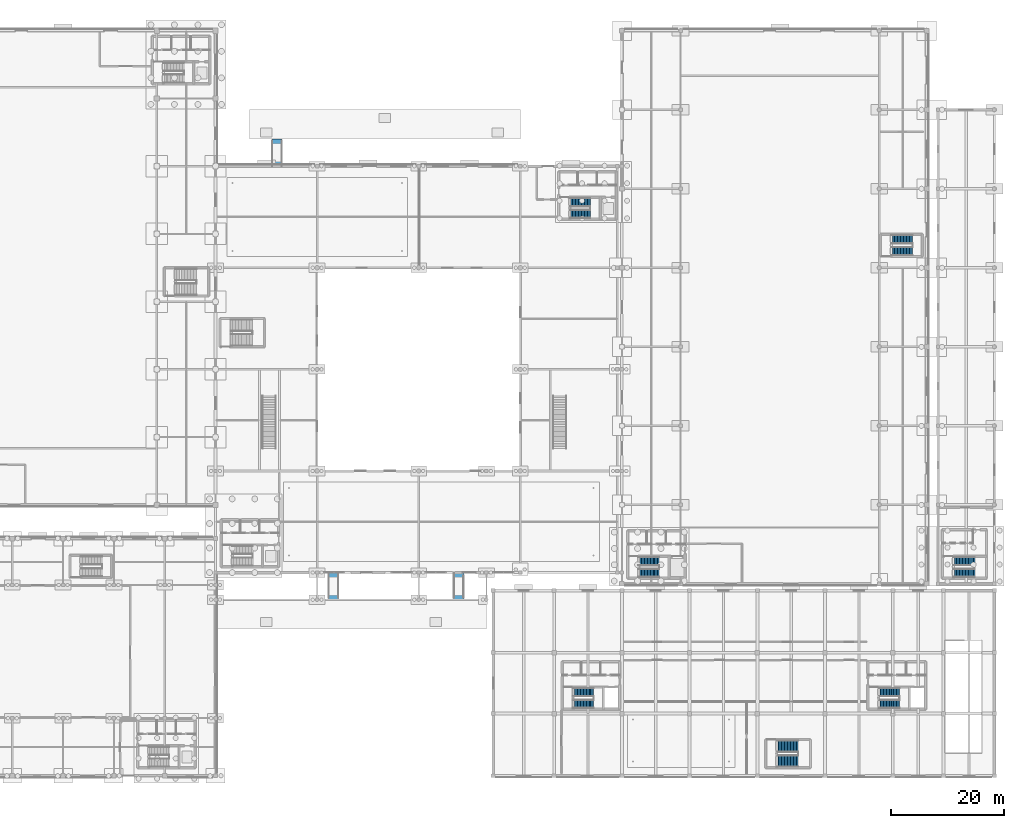
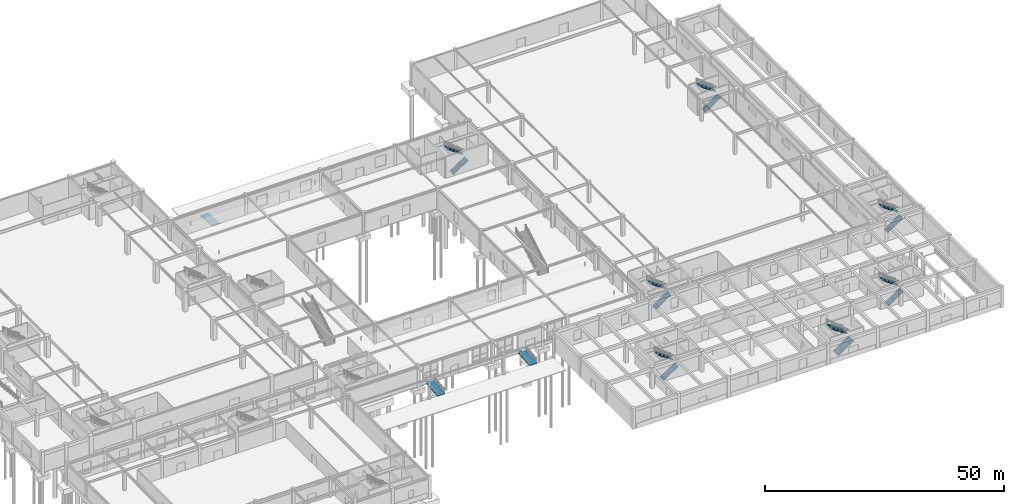
# One storey, part 40 of 53: 14 stair flights, 3 ramp flights, 10 elements without a shape of their own.
"""IFC4 building model written with IfcOpenShell, lengths in metres."""

from ifc_helpers import new_model, si_unit, derived_unit, direction, frame, origin, place, context, subcontext, project, spatial, polyline, outline, extrude, material, layer, layer_set, type_object, element, aggregate, save


model = new_model("IFC4")

# Units and contexts
model_context = context("Model", 3, precision=1e-05, world=origin(), true_north=direction((0.0, 1.0)))
body_context = subcontext(model_context, "Body", "Model", "MODEL_VIEW")
ifc_project = project(units=[si_unit("LENGTHUNIT", "METRE"), si_unit("AREAUNIT", "SQUARE_METRE"), si_unit("VOLUMEUNIT", "CUBIC_METRE"), si_unit("PLANEANGLEUNIT", "RADIAN"), si_unit("MASSUNIT", "GRAM", prefix="KILO"), derived_unit("THERMALTRANSMITTANCEUNIT", [(si_unit("POWERUNIT", "WATT"), 1), (si_unit("LENGTHUNIT", "METRE"), -2), (si_unit("THERMODYNAMICTEMPERATUREUNIT", "KELVIN"), -1)])], contexts=[model_context])

# Site, building, storey
site_placement = place(None, origin())
site = spatial("IfcSite", under=ifc_project, at=site_placement, CompositionType="ELEMENT")
building_placement = place(site_placement, origin())
building = spatial("IfcBuilding", under=site, at=building_placement, Name="Almenara Railside Exhibition Hall", CompositionType="ELEMENT")
storey_placement = place(building_placement, origin())
storey = spatial("IfcBuildingStorey", under=building, at=storey_placement, Name="L00", CompositionType="ELEMENT", Elevation=0.0)

# Stair, stair flights
ifc_material = material(Name="Concrete C35/45", Category="concrete")
stair_type_1 = type_object("IfcStairType", Name="East Core Dog-Leg Stair 1500mm", PredefinedType="TWO_STRAIGHT_RUN_STAIR", material=ifc_material)
stair_1_placement = place(storey_placement, origin())
stair_1 = element("IfcStair", 1, at=stair_1_placement, inside=storey, type_object=stair_type_1, Name="Escape stair ST-C9-L00", PredefinedType="TWO_STRAIGHT_RUN_STAIR")
stair_flight_type_1 = type_object("IfcStairFlightType", Name="Precast Concrete Stair Flight 1500mm C35/45", PredefinedType="STRAIGHT", material=ifc_material)
stair_flight_1_placement = place(storey_placement, frame((196.75, 35.889892578125, 0.0), z_axis=(0.0, 0.0, 1.0), x_axis=(1.0, 0.0, 0.0)))
stair_flight_1 = element("IfcStairFlight", 2, at=stair_flight_1_placement, type_object=stair_flight_type_1, Name="ST-C9-L00 flight 1", NumberOfRisers=15, NumberOfTreads=14, PredefinedType="STRAIGHT", RiserHeight=0.18, TreadLength=0.27, context=body_context, shape_type="SweptSolid", body=[
    extrude(outline(polyline([(0.0, 0.0), (0.0, 0.179931640625), (0.27001953125, 0.179931640625), (0.27001953125, 0.360107421875), (0.5400390625, 0.360107421875), (0.5400390625, 0.5400390625), (0.81005859375, 0.5400390625), (0.81005859375, 0.719970703125), (1.080078125, 0.719970703125), (1.080078125, 0.89990234375), (1.35009765625, 0.89990234375), (1.35009765625, 1.080078125), (1.6201171875, 1.080078125), (1.6201171875, 1.260009765625), (1.889892578125, 1.260009765625), (1.889892578125, 1.43994140625), (2.159912109375, 1.43994140625), (2.159912109375, 1.6201171875), (2.429931640625, 1.6201171875), (2.429931640625, 1.800048828125), (2.699951171875, 1.800048828125), (2.699951171875, 1.97998046875), (2.969970703125, 1.97998046875), (2.969970703125, 2.159912109375), (3.239990234375, 2.159912109375), (3.239990234375, 2.340087890625), (3.510009765625, 2.340087890625), (3.510009765625, 2.52001953125), (3.780029296875, 2.52001953125), (3.780029296875, 2.699951171875), (3.780029296875, 2.33984375), (0.270263671875, 0.0), (0.0, 0.0)])), frame((0.0, 0.75, 0.0), z_axis=(0.0, -1.0, 0.0), x_axis=(1.0, 0.0, 0.0)), (0.0, 0.0, 1.0), 1.5),
])
stair_flight_2_placement = place(storey_placement, frame((200.530029296875, 38.010009765625, 2.699951171875), z_axis=(0.0, 0.0, 1.0), x_axis=(-1.0, 0.0, 0.0)))
stair_flight_2 = element("IfcStairFlight", 3, at=stair_flight_2_placement, type_object=stair_flight_type_1, Name="ST-C9-L00 flight 2", NumberOfRisers=15, NumberOfTreads=14, PredefinedType="STRAIGHT", RiserHeight=0.18, TreadLength=0.27, context=body_context, shape_type="SweptSolid", body=[
    extrude(outline(polyline([(0.0, 0.0), (0.0, 0.179931640625), (0.27001953125, 0.179931640625), (0.27001953125, 0.360107421875), (0.5400390625, 0.360107421875), (0.5400390625, 0.5400390625), (0.81005859375, 0.5400390625), (0.81005859375, 0.719970703125), (1.080078125, 0.719970703125), (1.080078125, 0.89990234375), (1.35009765625, 0.89990234375), (1.35009765625, 1.080078125), (1.6201171875, 1.080078125), (1.6201171875, 1.260009765625), (1.889892578125, 1.260009765625), (1.889892578125, 1.43994140625), (2.159912109375, 1.43994140625), (2.159912109375, 1.6201171875), (2.429931640625, 1.6201171875), (2.429931640625, 1.800048828125), (2.699951171875, 1.800048828125), (2.699951171875, 1.97998046875), (2.969970703125, 1.97998046875), (2.969970703125, 2.159912109375), (3.239990234375, 2.159912109375), (3.239990234375, 2.340087890625), (3.510009765625, 2.340087890625), (3.510009765625, 2.52001953125), (3.780029296875, 2.52001953125), (3.780029296875, 2.699951171875), (3.780029296875, 2.33984375), (0.270263671875, 0.0), (0.0, 0.0)])), frame((0.0, 0.75, 0.0), z_axis=(0.0, -1.0, 0.0), x_axis=(1.0, 0.0, 0.0)), (0.0, 0.0, 1.0), 1.5),
])
aggregate(stair_1, [stair_flight_1, stair_flight_2])

stair_type_2 = type_object("IfcStairType", Name="Core Dog-Leg Escape Stair 1520mm", PredefinedType="TWO_STRAIGHT_RUN_STAIR", material=ifc_material)
stair_2_placement = place(storey_placement, origin())
stair_2 = element("IfcStair", 4, at=stair_2_placement, inside=storey, type_object=stair_type_2, Name="Escape stair ST-C3-L00", PredefinedType="TWO_STRAIGHT_RUN_STAIR")
stair_flight_type_2 = type_object("IfcStairFlightType", Name="Precast Concrete Stair Flight 1520mm C35/45", PredefinedType="STRAIGHT", material=ifc_material)
stair_flight_3_placement = place(storey_placement, frame((140.949951171875, 35.89990234375, 0.0), z_axis=(0.0, 0.0, 1.0), x_axis=(1.0, 0.0, 0.0)))
stair_flight_3 = element("IfcStairFlight", 5, at=stair_flight_3_placement, type_object=stair_flight_type_2, Name="ST-C3-L00 flight 1", NumberOfRisers=15, NumberOfTreads=14, PredefinedType="STRAIGHT", RiserHeight=0.18, TreadLength=0.2607, context=body_context, shape_type="SweptSolid", body=[
    extrude(outline(polyline([(0.0, 0.0), (0.0, 0.179931640625), (0.2607421875, 0.179931640625), (0.2607421875, 0.360107421875), (0.521484375, 0.360107421875), (0.521484375, 0.5400390625), (0.781982421875, 0.5400390625), (0.781982421875, 0.719970703125), (1.042724609375, 0.719970703125), (1.042724609375, 0.89990234375), (1.303466796875, 0.89990234375), (1.303466796875, 1.080078125), (1.564208984375, 1.080078125), (1.564208984375, 1.260009765625), (1.824951171875, 1.260009765625), (1.824951171875, 1.43994140625), (2.085693359375, 1.43994140625), (2.085693359375, 1.6201171875), (2.34619140625, 1.6201171875), (2.34619140625, 1.800048828125), (2.60693359375, 1.800048828125), (2.60693359375, 1.97998046875), (2.86767578125, 1.97998046875), (2.86767578125, 2.159912109375), (3.12841796875, 2.159912109375), (3.12841796875, 2.340087890625), (3.38916015625, 2.340087890625), (3.38916015625, 2.52001953125), (3.64990234375, 2.52001953125), (3.64990234375, 2.699951171875), (3.64990234375, 2.337890625), (0.263916015625, 0.0), (0.0, 0.0)])), frame((0.0, 0.760009765625, 0.0), z_axis=(0.0, -1.0, 0.0), x_axis=(1.0, 0.0, 0.0)), (0.0, 0.0, 1.0), 1.52001953125),
])
stair_flight_4_placement = place(storey_placement, frame((144.599853515625, 38.0, 2.699951171875), z_axis=(0.0, 0.0, 1.0), x_axis=(-1.0, 0.0, 0.0)))
stair_flight_4 = element("IfcStairFlight", 6, at=stair_flight_4_placement, type_object=stair_flight_type_2, Name="ST-C3-L00 flight 2", NumberOfRisers=15, NumberOfTreads=14, PredefinedType="STRAIGHT", RiserHeight=0.18, TreadLength=0.2607, context=body_context, shape_type="SweptSolid", body=[
    extrude(outline(polyline([(0.0, 0.0), (0.0, 0.179931640625), (0.2607421875, 0.179931640625), (0.2607421875, 0.360107421875), (0.521484375, 0.360107421875), (0.521484375, 0.5400390625), (0.781982421875, 0.5400390625), (0.781982421875, 0.719970703125), (1.042724609375, 0.719970703125), (1.042724609375, 0.89990234375), (1.303466796875, 0.89990234375), (1.303466796875, 1.080078125), (1.564208984375, 1.080078125), (1.564208984375, 1.260009765625), (1.824951171875, 1.260009765625), (1.824951171875, 1.43994140625), (2.085693359375, 1.43994140625), (2.085693359375, 1.6201171875), (2.34619140625, 1.6201171875), (2.34619140625, 1.800048828125), (2.60693359375, 1.800048828125), (2.60693359375, 1.97998046875), (2.86767578125, 1.97998046875), (2.86767578125, 2.159912109375), (3.12841796875, 2.159912109375), (3.12841796875, 2.340087890625), (3.38916015625, 2.340087890625), (3.38916015625, 2.52001953125), (3.64990234375, 2.52001953125), (3.64990234375, 2.699951171875), (3.64990234375, 2.337890625), (0.263916015625, 0.0), (0.0, 0.0)])), frame((0.0, 0.760009765625, 0.0), z_axis=(0.0, -1.0, 0.0), x_axis=(1.0, 0.0, 0.0)), (0.0, 0.0, 1.0), 1.52001953125),
])
aggregate(stair_2, [stair_flight_3, stair_flight_4])

stair_3_placement = place(storey_placement, origin())
stair_3 = element("IfcStair", 7, at=stair_3_placement, inside=storey, type_object=stair_type_2, Name="Escape stair ST-C5-L00", PredefinedType="TWO_STRAIGHT_RUN_STAIR")
stair_flight_5_placement = place(storey_placement, frame((129.35009765625, 12.699951171875, 0.0), z_axis=(0.0, 0.0, 1.0), x_axis=(1.0, 0.0, 0.0)))
stair_flight_5 = element("IfcStairFlight", 8, at=stair_flight_5_placement, type_object=stair_flight_type_2, Name="ST-C5-L00 flight 1", NumberOfRisers=15, NumberOfTreads=14, PredefinedType="STRAIGHT", RiserHeight=0.18, TreadLength=0.2607, context=body_context, shape_type="SweptSolid", body=[
    extrude(outline(polyline([(0.0, 0.0), (0.0, 0.179931640625), (0.2607421875, 0.179931640625), (0.2607421875, 0.360107421875), (0.521484375, 0.360107421875), (0.521484375, 0.5400390625), (0.781982421875, 0.5400390625), (0.781982421875, 0.719970703125), (1.042724609375, 0.719970703125), (1.042724609375, 0.89990234375), (1.303466796875, 0.89990234375), (1.303466796875, 1.080078125), (1.564208984375, 1.080078125), (1.564208984375, 1.260009765625), (1.824951171875, 1.260009765625), (1.824951171875, 1.43994140625), (2.085693359375, 1.43994140625), (2.085693359375, 1.6201171875), (2.34619140625, 1.6201171875), (2.34619140625, 1.800048828125), (2.60693359375, 1.800048828125), (2.60693359375, 1.97998046875), (2.86767578125, 1.97998046875), (2.86767578125, 2.159912109375), (3.12841796875, 2.159912109375), (3.12841796875, 2.340087890625), (3.38916015625, 2.340087890625), (3.38916015625, 2.52001953125), (3.64990234375, 2.52001953125), (3.64990234375, 2.699951171875), (3.64990234375, 2.337890625), (0.263916015625, 0.0), (0.0, 0.0)])), frame((0.0, 0.760009765625, 0.0), z_axis=(0.0, -1.0, 0.0), x_axis=(1.0, 0.0, 0.0)), (0.0, 0.0, 1.0), 1.52001953125),
])
stair_flight_6_placement = place(storey_placement, frame((132.999755859375, 14.800048828125, 2.699951171875), z_axis=(0.0, 0.0, 1.0), x_axis=(-1.0, 0.0, 0.0)))
stair_flight_6 = element("IfcStairFlight", 9, at=stair_flight_6_placement, type_object=stair_flight_type_2, Name="ST-C5-L00 flight 2", NumberOfRisers=15, NumberOfTreads=14, PredefinedType="STRAIGHT", RiserHeight=0.18, TreadLength=0.2607, context=body_context, shape_type="SweptSolid", body=[
    extrude(outline(polyline([(0.0, 0.0), (0.0, 0.179931640625), (0.2607421875, 0.179931640625), (0.2607421875, 0.360107421875), (0.521484375, 0.360107421875), (0.521484375, 0.5400390625), (0.781982421875, 0.5400390625), (0.781982421875, 0.719970703125), (1.042724609375, 0.719970703125), (1.042724609375, 0.89990234375), (1.303466796875, 0.89990234375), (1.303466796875, 1.080078125), (1.564208984375, 1.080078125), (1.564208984375, 1.260009765625), (1.824951171875, 1.260009765625), (1.824951171875, 1.43994140625), (2.085693359375, 1.43994140625), (2.085693359375, 1.6201171875), (2.34619140625, 1.6201171875), (2.34619140625, 1.800048828125), (2.60693359375, 1.800048828125), (2.60693359375, 1.97998046875), (2.86767578125, 1.97998046875), (2.86767578125, 2.159912109375), (3.12841796875, 2.159912109375), (3.12841796875, 2.340087890625), (3.38916015625, 2.340087890625), (3.38916015625, 2.52001953125), (3.64990234375, 2.52001953125), (3.64990234375, 2.699951171875), (3.64990234375, 2.337890625), (0.263916015625, 0.0), (0.0, 0.0)])), frame((0.0, 0.760009765625, 0.0), z_axis=(0.0, -1.0, 0.0), x_axis=(1.0, 0.0, 0.0)), (0.0, 0.0, 1.0), 1.52001953125),
])
aggregate(stair_3, [stair_flight_5, stair_flight_6])

stair_4_placement = place(storey_placement, origin())
stair_4 = element("IfcStair", 10, at=stair_4_placement, inside=storey, type_object=stair_type_2, Name="Escape stair ST-C6-L00", PredefinedType="TWO_STRAIGHT_RUN_STAIR")
stair_flight_7_placement = place(storey_placement, frame((183.550048828125, 12.699951171875, 0.0), z_axis=(0.0, 0.0, 1.0), x_axis=(1.0, 0.0, 0.0)))
stair_flight_7 = element("IfcStairFlight", 11, at=stair_flight_7_placement, type_object=stair_flight_type_2, Name="ST-C6-L00 flight 1", NumberOfRisers=15, NumberOfTreads=14, PredefinedType="STRAIGHT", RiserHeight=0.18, TreadLength=0.2607, context=body_context, shape_type="SweptSolid", body=[
    extrude(outline(polyline([(0.0, 0.0), (0.0, 0.179931640625), (0.2607421875, 0.179931640625), (0.2607421875, 0.360107421875), (0.521484375, 0.360107421875), (0.521484375, 0.5400390625), (0.781982421875, 0.5400390625), (0.781982421875, 0.719970703125), (1.042724609375, 0.719970703125), (1.042724609375, 0.89990234375), (1.303466796875, 0.89990234375), (1.303466796875, 1.080078125), (1.564208984375, 1.080078125), (1.564208984375, 1.260009765625), (1.824951171875, 1.260009765625), (1.824951171875, 1.43994140625), (2.085693359375, 1.43994140625), (2.085693359375, 1.6201171875), (2.34619140625, 1.6201171875), (2.34619140625, 1.800048828125), (2.60693359375, 1.800048828125), (2.60693359375, 1.97998046875), (2.86767578125, 1.97998046875), (2.86767578125, 2.159912109375), (3.12841796875, 2.159912109375), (3.12841796875, 2.340087890625), (3.38916015625, 2.340087890625), (3.38916015625, 2.52001953125), (3.64990234375, 2.52001953125), (3.64990234375, 2.699951171875), (3.64990234375, 2.337890625), (0.263916015625, 0.0), (0.0, 0.0)])), frame((0.0, 0.760009765625, 0.0), z_axis=(0.0, -1.0, 0.0), x_axis=(1.0, 0.0, 0.0)), (0.0, 0.0, 1.0), 1.52001953125),
])
stair_flight_8_placement = place(storey_placement, frame((187.19970703125, 14.800048828125, 2.699951171875), z_axis=(0.0, 0.0, 1.0), x_axis=(-1.0, 0.0, 0.0)))
stair_flight_8 = element("IfcStairFlight", 12, at=stair_flight_8_placement, type_object=stair_flight_type_2, Name="ST-C6-L00 flight 2", NumberOfRisers=15, NumberOfTreads=14, PredefinedType="STRAIGHT", RiserHeight=0.18, TreadLength=0.2607, context=body_context, shape_type="SweptSolid", body=[
    extrude(outline(polyline([(0.0, 0.0), (0.0, 0.179931640625), (0.2607421875, 0.179931640625), (0.2607421875, 0.360107421875), (0.521484375, 0.360107421875), (0.521484375, 0.5400390625), (0.781982421875, 0.5400390625), (0.781982421875, 0.719970703125), (1.042724609375, 0.719970703125), (1.042724609375, 0.89990234375), (1.303466796875, 0.89990234375), (1.303466796875, 1.080078125), (1.564208984375, 1.080078125), (1.564208984375, 1.260009765625), (1.824951171875, 1.260009765625), (1.824951171875, 1.43994140625), (2.085693359375, 1.43994140625), (2.085693359375, 1.6201171875), (2.34619140625, 1.6201171875), (2.34619140625, 1.800048828125), (2.60693359375, 1.800048828125), (2.60693359375, 1.97998046875), (2.86767578125, 1.97998046875), (2.86767578125, 2.159912109375), (3.12841796875, 2.159912109375), (3.12841796875, 2.340087890625), (3.38916015625, 2.340087890625), (3.38916015625, 2.52001953125), (3.64990234375, 2.52001953125), (3.64990234375, 2.699951171875), (3.64990234375, 2.337890625), (0.263916015625, 0.0), (0.0, 0.0)])), frame((0.0, 0.760009765625, 0.0), z_axis=(0.0, -1.0, 0.0), x_axis=(1.0, 0.0, 0.0)), (0.0, 0.0, 1.0), 1.52001953125),
])
aggregate(stair_4, [stair_flight_7, stair_flight_8])

stair_5_placement = place(storey_placement, origin())
stair_5 = element("IfcStair", 13, at=stair_5_placement, inside=storey, type_object=stair_type_2, Name="Escape stair ST-C8-L00", PredefinedType="TWO_STRAIGHT_RUN_STAIR")
stair_flight_9_placement = place(storey_placement, frame((128.75, 99.5, 0.0), z_axis=(0.0, 0.0, 1.0), x_axis=(1.0, 0.0, 0.0)))
stair_flight_9 = element("IfcStairFlight", 14, at=stair_flight_9_placement, type_object=stair_flight_type_2, Name="ST-C8-L00 flight 1", NumberOfRisers=15, NumberOfTreads=14, PredefinedType="STRAIGHT", RiserHeight=0.18, TreadLength=0.2607, context=body_context, shape_type="SweptSolid", body=[
    extrude(outline(polyline([(0.0, 0.0), (0.0, 0.179931640625), (0.2607421875, 0.179931640625), (0.2607421875, 0.360107421875), (0.521484375, 0.360107421875), (0.521484375, 0.5400390625), (0.781982421875, 0.5400390625), (0.781982421875, 0.719970703125), (1.042724609375, 0.719970703125), (1.042724609375, 0.89990234375), (1.303466796875, 0.89990234375), (1.303466796875, 1.080078125), (1.564208984375, 1.080078125), (1.564208984375, 1.260009765625), (1.824951171875, 1.260009765625), (1.824951171875, 1.43994140625), (2.085693359375, 1.43994140625), (2.085693359375, 1.6201171875), (2.34619140625, 1.6201171875), (2.34619140625, 1.800048828125), (2.60693359375, 1.800048828125), (2.60693359375, 1.97998046875), (2.86767578125, 1.97998046875), (2.86767578125, 2.159912109375), (3.12841796875, 2.159912109375), (3.12841796875, 2.340087890625), (3.38916015625, 2.340087890625), (3.38916015625, 2.52001953125), (3.64990234375, 2.52001953125), (3.64990234375, 2.699951171875), (3.64990234375, 2.337890625), (0.263916015625, 0.0), (0.0, 0.0)])), frame((0.0, 0.760009765625, 0.0), z_axis=(0.0, -1.0, 0.0), x_axis=(1.0, 0.0, 0.0)), (0.0, 0.0, 1.0), 1.52001953125),
])
stair_flight_10_placement = place(storey_placement, frame((132.39990234375, 101.60009765625, 2.699951171875), z_axis=(0.0, 0.0, 1.0), x_axis=(-1.0, 0.0, 0.0)))
stair_flight_10 = element("IfcStairFlight", 15, at=stair_flight_10_placement, type_object=stair_flight_type_2, Name="ST-C8-L00 flight 2", NumberOfRisers=15, NumberOfTreads=14, PredefinedType="STRAIGHT", RiserHeight=0.18, TreadLength=0.2607, context=body_context, shape_type="SweptSolid", body=[
    extrude(outline(polyline([(0.0, 0.0), (0.0, 0.179931640625), (0.2607421875, 0.179931640625), (0.2607421875, 0.360107421875), (0.521484375, 0.360107421875), (0.521484375, 0.5400390625), (0.781982421875, 0.5400390625), (0.781982421875, 0.719970703125), (1.042724609375, 0.719970703125), (1.042724609375, 0.89990234375), (1.303466796875, 0.89990234375), (1.303466796875, 1.080078125), (1.564208984375, 1.080078125), (1.564208984375, 1.260009765625), (1.824951171875, 1.260009765625), (1.824951171875, 1.43994140625), (2.085693359375, 1.43994140625), (2.085693359375, 1.6201171875), (2.34619140625, 1.6201171875), (2.34619140625, 1.800048828125), (2.60693359375, 1.800048828125), (2.60693359375, 1.97998046875), (2.86767578125, 1.97998046875), (2.86767578125, 2.159912109375), (3.12841796875, 2.159912109375), (3.12841796875, 2.340087890625), (3.38916015625, 2.340087890625), (3.38916015625, 2.52001953125), (3.64990234375, 2.52001953125), (3.64990234375, 2.699951171875), (3.64990234375, 2.337890625), (0.263916015625, 0.0), (0.0, 0.0)])), frame((0.0, 0.760009765625, 0.0), z_axis=(0.0, -1.0, 0.0), x_axis=(1.0, 0.0, 0.0)), (0.0, 0.0, 1.0), 1.52001953125),
])
aggregate(stair_5, [stair_flight_9, stair_flight_10])

stair_6_placement = place(storey_placement, origin())
stair_6 = element("IfcStair", 16, at=stair_6_placement, inside=storey, type_object=stair_type_2, Name="Escape stair HST6-L00", PredefinedType="TWO_STRAIGHT_RUN_STAIR")
stair_flight_11_placement = place(storey_placement, frame((185.75, 92.89990234375, 0.0), z_axis=(0.0, 0.0, 1.0), x_axis=(1.0, 0.0, 0.0)))
stair_flight_11 = element("IfcStairFlight", 17, at=stair_flight_11_placement, type_object=stair_flight_type_2, Name="HST6-L00 flight 1", NumberOfRisers=15, NumberOfTreads=14, PredefinedType="STRAIGHT", RiserHeight=0.18, TreadLength=0.27, context=body_context, shape_type="SweptSolid", body=[
    extrude(outline(polyline([(0.0, 0.0), (0.0, 0.179931640625), (0.27001953125, 0.179931640625), (0.27001953125, 0.360107421875), (0.5400390625, 0.360107421875), (0.5400390625, 0.5400390625), (0.81005859375, 0.5400390625), (0.81005859375, 0.719970703125), (1.080078125, 0.719970703125), (1.080078125, 0.89990234375), (1.35009765625, 0.89990234375), (1.35009765625, 1.080078125), (1.6201171875, 1.080078125), (1.6201171875, 1.260009765625), (1.889892578125, 1.260009765625), (1.889892578125, 1.43994140625), (2.159912109375, 1.43994140625), (2.159912109375, 1.6201171875), (2.429931640625, 1.6201171875), (2.429931640625, 1.800048828125), (2.699951171875, 1.800048828125), (2.699951171875, 1.97998046875), (2.969970703125, 1.97998046875), (2.969970703125, 2.159912109375), (3.239990234375, 2.159912109375), (3.239990234375, 2.340087890625), (3.510009765625, 2.340087890625), (3.510009765625, 2.52001953125), (3.780029296875, 2.52001953125), (3.780029296875, 2.699951171875), (3.780029296875, 2.33984375), (0.270263671875, 0.0), (0.0, 0.0)])), frame((0.0, 0.760009765625, 0.0), z_axis=(0.0, -1.0, 0.0), x_axis=(1.0, 0.0, 0.0)), (0.0, 0.0, 1.0), 1.52001953125),
])
stair_flight_12_placement = place(storey_placement, frame((189.530029296875, 95.050048828125, 2.699951171875), z_axis=(0.0, 0.0, 1.0), x_axis=(-1.0, 0.0, 0.0)))
stair_flight_12 = element("IfcStairFlight", 18, at=stair_flight_12_placement, type_object=stair_flight_type_2, Name="HST6-L00 flight 2", NumberOfRisers=15, NumberOfTreads=14, PredefinedType="STRAIGHT", RiserHeight=0.18, TreadLength=0.27, context=body_context, shape_type="SweptSolid", body=[
    extrude(outline(polyline([(0.0, 0.0), (0.0, 0.179931640625), (0.27001953125, 0.179931640625), (0.27001953125, 0.360107421875), (0.5400390625, 0.360107421875), (0.5400390625, 0.5400390625), (0.81005859375, 0.5400390625), (0.81005859375, 0.719970703125), (1.080078125, 0.719970703125), (1.080078125, 0.89990234375), (1.35009765625, 0.89990234375), (1.35009765625, 1.080078125), (1.6201171875, 1.080078125), (1.6201171875, 1.260009765625), (1.889892578125, 1.260009765625), (1.889892578125, 1.43994140625), (2.159912109375, 1.43994140625), (2.159912109375, 1.6201171875), (2.429931640625, 1.6201171875), (2.429931640625, 1.800048828125), (2.699951171875, 1.800048828125), (2.699951171875, 1.97998046875), (2.969970703125, 1.97998046875), (2.969970703125, 2.159912109375), (3.239990234375, 2.159912109375), (3.239990234375, 2.340087890625), (3.510009765625, 2.340087890625), (3.510009765625, 2.52001953125), (3.780029296875, 2.52001953125), (3.780029296875, 2.699951171875), (3.780029296875, 2.33984375), (0.270263671875, 0.0), (0.0, 0.0)])), frame((0.0, 0.760009765625, 0.0), z_axis=(0.0, -1.0, 0.0), x_axis=(1.0, 0.0, 0.0)), (0.0, 0.0, 1.0), 1.52001953125),
])
aggregate(stair_6, [stair_flight_11, stair_flight_12])

stair_type_3 = type_object("IfcStairType", Name="Hall Escape Dog-Leg Stair 2100mm", PredefinedType="TWO_STRAIGHT_RUN_STAIR", material=ifc_material)
stair_7_placement = place(storey_placement, origin())
stair_7 = element("IfcStair", 19, at=stair_7_placement, inside=storey, type_object=stair_type_3, Name="Escape stair HST4-L00", PredefinedType="TWO_STRAIGHT_RUN_STAIR")
stair_flight_type_3 = type_object("IfcStairFlightType", Name="Precast Concrete Stair Flight 2100mm C35/45", PredefinedType="STRAIGHT", material=ifc_material)
stair_flight_13_placement = place(storey_placement, frame((165.449951171875, 2.590087890625, 0.0), z_axis=(0.0, 0.0, 1.0), x_axis=(1.0, 0.0, 0.0)))
stair_flight_13 = element("IfcStairFlight", 20, at=stair_flight_13_placement, type_object=stair_flight_type_3, Name="HST4-L00 flight 1", NumberOfRisers=15, NumberOfTreads=14, PredefinedType="STRAIGHT", RiserHeight=0.18, TreadLength=0.27, context=body_context, shape_type="SweptSolid", body=[
    extrude(outline(polyline([(0.0, 0.0), (0.0, 0.179931640625), (0.27001953125, 0.179931640625), (0.27001953125, 0.360107421875), (0.5400390625, 0.360107421875), (0.5400390625, 0.5400390625), (0.81005859375, 0.5400390625), (0.81005859375, 0.719970703125), (1.080078125, 0.719970703125), (1.080078125, 0.89990234375), (1.35009765625, 0.89990234375), (1.35009765625, 1.080078125), (1.6201171875, 1.080078125), (1.6201171875, 1.260009765625), (1.889892578125, 1.260009765625), (1.889892578125, 1.43994140625), (2.159912109375, 1.43994140625), (2.159912109375, 1.6201171875), (2.429931640625, 1.6201171875), (2.429931640625, 1.800048828125), (2.699951171875, 1.800048828125), (2.699951171875, 1.97998046875), (2.969970703125, 1.97998046875), (2.969970703125, 2.159912109375), (3.239990234375, 2.159912109375), (3.239990234375, 2.340087890625), (3.510009765625, 2.340087890625), (3.510009765625, 2.52001953125), (3.780029296875, 2.52001953125), (3.780029296875, 2.699951171875), (3.780029296875, 2.33984375), (0.270263671875, 0.0), (0.0, 0.0)])), frame((0.0, 1.050048828125, 0.0), z_axis=(0.0, -1.0, 0.0), x_axis=(1.0, 0.0, 0.0)), (0.0, 0.0, 1.0), 2.10009765625),
])
stair_flight_14_placement = place(storey_placement, frame((169.22998046875, 5.2099609375, 2.699951171875), z_axis=(0.0, 0.0, 1.0), x_axis=(-1.0, 0.0, 0.0)))
stair_flight_14 = element("IfcStairFlight", 21, at=stair_flight_14_placement, type_object=stair_flight_type_3, Name="HST4-L00 flight 2", NumberOfRisers=15, NumberOfTreads=14, PredefinedType="STRAIGHT", RiserHeight=0.18, TreadLength=0.27, context=body_context, shape_type="SweptSolid", body=[
    extrude(outline(polyline([(0.0, 0.0), (0.0, 0.179931640625), (0.27001953125, 0.179931640625), (0.27001953125, 0.360107421875), (0.5400390625, 0.360107421875), (0.5400390625, 0.5400390625), (0.81005859375, 0.5400390625), (0.81005859375, 0.719970703125), (1.080078125, 0.719970703125), (1.080078125, 0.89990234375), (1.35009765625, 0.89990234375), (1.35009765625, 1.080078125), (1.6201171875, 1.080078125), (1.6201171875, 1.260009765625), (1.889892578125, 1.260009765625), (1.889892578125, 1.43994140625), (2.159912109375, 1.43994140625), (2.159912109375, 1.6201171875), (2.429931640625, 1.6201171875), (2.429931640625, 1.800048828125), (2.699951171875, 1.800048828125), (2.699951171875, 1.97998046875), (2.969970703125, 1.97998046875), (2.969970703125, 2.159912109375), (3.239990234375, 2.159912109375), (3.239990234375, 2.340087890625), (3.510009765625, 2.340087890625), (3.510009765625, 2.52001953125), (3.780029296875, 2.52001953125), (3.780029296875, 2.699951171875), (3.780029296875, 2.33984375), (0.270263671875, 0.0), (0.0, 0.0)])), frame((0.0, 1.050048828125, 0.0), z_axis=(0.0, -1.0, 0.0), x_axis=(1.0, 0.0, 0.0)), (0.0, 0.0, 1.0), 2.10009765625),
])
aggregate(stair_7, [stair_flight_13, stair_flight_14])

# Ramp, ramp flight
ramp_type = type_object("IfcRampType", Name="Universal Wheelchair Access Ramp 1:12", PredefinedType="STRAIGHT_RUN_RAMP", material=ifc_material)
ramp_1_placement = place(storey_placement, origin())
ramp_1 = element("IfcRamp", 22, at=ramp_1_placement, inside=storey, type_object=ramp_type, Name="South Forecourt West Wheelchair Ramp", PredefinedType="STRAIGHT_RUN_RAMP")
ifc_layer = layer(ifc_material, 0.199951171875, Name="Concrete C35/45")
ifc_layer_set = layer_set([ifc_layer], Name="Concrete C35/45")
ramp_flight_type = type_object("IfcRampFlightType", Name="Accessible Ramp Flight 200mm C35/45", PredefinedType="STRAIGHT", material=ifc_layer_set)
ramp_flight_1_placement = place(storey_placement, frame((86.0, 31.14990234375, -0.39990234375), z_axis=(0.0, -0.081339861581, 0.996686423565), x_axis=(1.0, 0.0, 0.0)))
ramp_flight_1 = element("IfcRampFlight", 23, at=ramp_flight_1_placement, type_object=ramp_flight_type, Name="Ramp flight AR-01", PredefinedType="STRAIGHT", context=body_context, shape_type="SweptSolid", body=[
    extrude(outline(polyline([(0.0, 0.0), (1.800048828125, 0.0), (1.800048828125, 4.916437475740886), (0.0, 4.916437475740886), (0.0, 0.0)])), origin(), (0.0, 0.0, -1.0), 0.199951171875),
])
aggregate(ramp_1, [ramp_flight_1])

ramp_2_placement = place(storey_placement, origin())
ramp_2 = element("IfcRamp", 24, at=ramp_2_placement, inside=storey, type_object=ramp_type, Name="South Forecourt East Wheelchair Ramp", PredefinedType="STRAIGHT_RUN_RAMP")
ramp_flight_2_placement = place(storey_placement, frame((108.199951171875, 31.14990234375, -0.39990234375), z_axis=(0.0, -0.081339861581, 0.996686423565), x_axis=(1.0, 0.0, 0.0)))
ramp_flight_2 = element("IfcRampFlight", 25, at=ramp_flight_2_placement, type_object=ramp_flight_type, Name="Ramp flight AR-02", PredefinedType="STRAIGHT", context=body_context, shape_type="SweptSolid", body=[
    extrude(outline(polyline([(0.0, 0.0), (1.800048828125, 0.0), (1.800048828125, 4.916437475740886), (0.0, 4.916437475740886), (0.0, 0.0)])), origin(), (0.0, 0.0, -1.0), 0.199951171875),
])
aggregate(ramp_2, [ramp_flight_2])

ramp_3_placement = place(storey_placement, origin())
ramp_3 = element("IfcRamp", 26, at=ramp_3_placement, inside=storey, type_object=ramp_type, Name="North Rail Court Wheelchair Ramp", PredefinedType="STRAIGHT_RUN_RAMP")
ramp_flight_3_placement = place(storey_placement, frame((77.800048828125, 112.85009765625, -0.39990234375), z_axis=(0.0, 0.081339861581, 0.996686423565), x_axis=(-1.0, 0.0, 0.0)))
ramp_flight_3 = element("IfcRampFlight", 27, at=ramp_flight_3_placement, type_object=ramp_flight_type, Name="Ramp flight AR-03", PredefinedType="STRAIGHT", context=body_context, shape_type="SweptSolid", body=[
    extrude(outline(polyline([(0.0, 0.0), (1.800048828125, 0.0), (1.800048828125, 4.916437475740886), (0.0, 4.916437475740886), (0.0, 0.0)])), origin(), (0.0, 0.0, -1.0), 0.199951171875),
])
aggregate(ramp_3, [ramp_flight_3])

save(model, "model.ifc")
